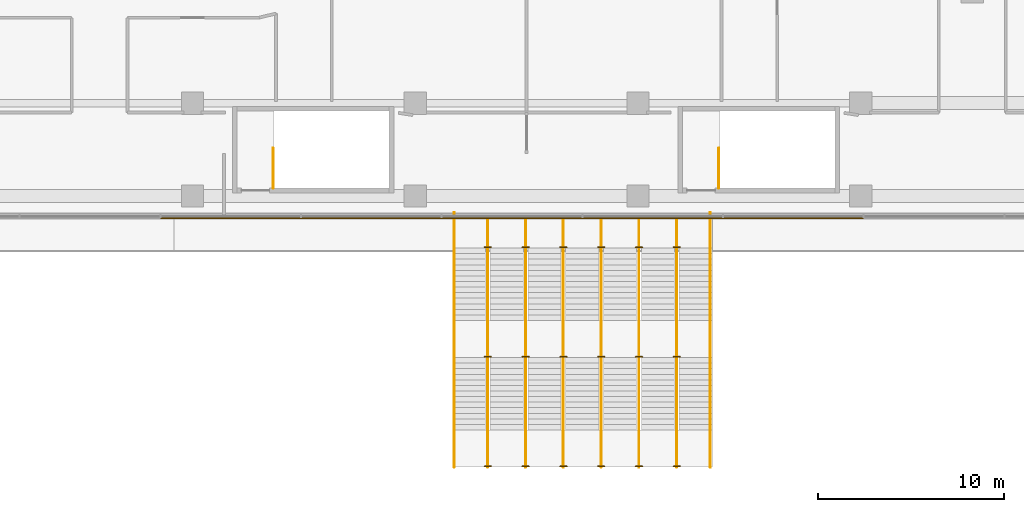
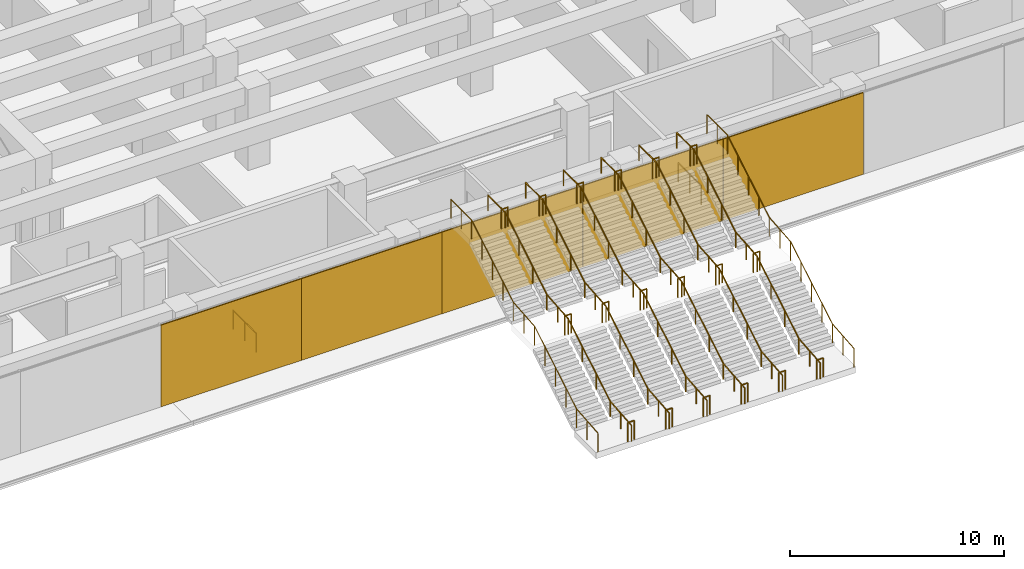
# One storey, part 36 of 40: 28 railings, 5 coverings.
"""IFC4 building model written with IfcOpenShell, lengths in metres."""

from ifc_helpers import new_model, si_unit, direction, frame, origin, origin_2d, place, context, subcontext, project, spatial, rectangle, circle, extrude, material, layer, layer_set, type_object, element, save


model = new_model("IFC4")

# Units and contexts
model_context = context("Model", 3, precision=1e-05, world=origin(), true_north=direction((0.0, 1.0)))
body_context = subcontext(model_context, "Body", "Model", "MODEL_VIEW")
ifc_project = project(units=[si_unit("LENGTHUNIT", "METRE"), si_unit("AREAUNIT", "SQUARE_METRE"), si_unit("VOLUMEUNIT", "CUBIC_METRE"), si_unit("PLANEANGLEUNIT", "RADIAN"), si_unit("MASSUNIT", "GRAM", prefix="KILO")], contexts=[model_context])

# Site, building, storey
site_placement = place(None, origin())
site = spatial("IfcSite", under=ifc_project, at=site_placement, CompositionType="ELEMENT")
building_placement = place(site_placement, origin())
building = spatial("IfcBuilding", under=site, at=building_placement, Name="Welwitschia Terrace Campus", CompositionType="ELEMENT")
storey_placement = place(building_placement, frame((0.0, 0.0, 6.0)))
storey = spatial("IfcBuildingStorey", under=building, at=storey_placement, Name="L01", CompositionType="ELEMENT", Elevation=6.0)

# Coverings
ifc_material_1 = material(Name="Bronze mesh aluminium screen", Category="aluminium")
ifc_layer = layer(ifc_material_1, 0.06005859375)
ifc_layer_set = layer_set([ifc_layer], Name="Bronze mesh aluminium screen")
covering_type = type_object("IfcCoveringType", Name="Bronze screen 60", PredefinedType="USERDEFINED", material=ifc_layer_set)
for number, where, z_axis, x_axis, name in (
    (1, (26.062744140625, -10.18994140625, 0.0), (0.0, 0.0, 1.0), (1.0, 0.0, 0.0), "Screen L01.0.3"),
    (2, (33.6376953125, -10.18994140625, 0.0), (0.0, 0.0, 1.0), (1.0, 0.0, 0.0), "Screen L01.0.4"),
    (3, (41.21240234375, -10.18994140625, 0.0), (0.0, 0.0, 1.0), (1.0, 0.0, 0.0), "Screen L01.0.5"),
    (4, (48.78759765625, -10.18994140625, 0.0), (0.0, 0.0, 1.0), (1.0, 0.0, 0.0), "Screen L01.0.6"),
    (5, (56.3623046875, -10.18994140625, 0.0), (0.0, 0.0, 1.0), (1.0, 0.0, 0.0), "Screen L01.0.7"),
):
    element("IfcCovering", number, at=place(storey_placement, frame(where, z_axis=z_axis, x_axis=x_axis)), inside=storey, type_object=covering_type, Name=name, ObjectType="SCREEN", PredefinedType="USERDEFINED", context=body_context, shape_type="SweptSolid", body=[
        extrude(rectangle(XDim=7.554931640625, YDim=0.06005859375, at=origin_2d()), origin(), (0.0, 0.0, 1.0), 4.64990234375),
    ])

# Railings
ifc_material_2 = material(Name="Stainless steel grade 316", Category="steel")
railing_type_1 = type_object("IfcRailingType", Name="Guard 1100", PredefinedType="GUARDRAIL", material=ifc_material_2)
railing_1_placement = place(storey_placement, frame((38.10009765625, -23.60009765625, 0.0)))
element("IfcRailing", 6, at=railing_1_placement, inside=storey, type_object=railing_type_1, Name="Stair guard", PredefinedType="GUARDRAIL", context=body_context, shape_type="SweptSolid", body=[
    extrude(circle(Radius=0.02392578125, at=origin_2d()), frame((0.0, 0.0, 1.076171875), z_axis=(0.0, 0.996042319748, 0.088880241179), x_axis=(-1.0, 0.0, 0.0)), (0.0, 0.0, 1.0), 2.008056640625),
    extrude(circle(Radius=0.02392578125, at=origin_2d()), frame((0.0, 2.0, 1.25439453125), z_axis=(0.0, 0.859291195736, 0.511486696729), x_axis=(-1.0, 0.0, 0.0)), (0.0, 0.0, 1.0), 4.538818359375),
    extrude(circle(Radius=0.02392578125, at=origin_2d()), frame((0.0, 5.900146484375, 3.576171875), z_axis=(0.0, 0.996042319748, 0.088880241179), x_axis=(-1.0, 0.0, 0.0)), (0.0, 0.0, 1.0), 2.008056640625),
    extrude(circle(Radius=0.02392578125, at=origin_2d()), frame((0.0, 7.900146484375, 3.75439453125), z_axis=(0.0, 0.85927712236, 0.511510339083), x_axis=(-1.0, 0.0, 0.0)), (0.0, 0.0, 1.0), 4.53857421875),
    extrude(circle(Radius=0.02392578125, at=origin_2d()), frame((0.0, 11.800048828125, 6.076171875), z_axis=(0.0, 1.0, 0.0), x_axis=(-1.0, 0.0, 0.0)), (0.0, 0.0, 1.0), 1.920166015625),
    extrude(circle(Radius=0.02099609375, at=origin_2d()), origin(), (0.0, 0.0, 1.0), 1.052001953125),
    extrude(circle(Radius=0.02099609375, at=origin_2d()), frame((0.0, 1.0, 0.08935546875)), (0.0, 0.0, 1.0), 1.052001953125),
    extrude(circle(Radius=0.02099609375, at=origin_2d()), frame((0.0, 2.0, 0.178466796875)), (0.0, 0.0, 1.0), 1.052001953125),
    extrude(circle(Radius=0.02099609375, at=origin_2d()), frame((0.0, 2.97509765625, 0.7587890625)), (0.0, 0.0, 1.0), 1.052001953125),
    extrude(circle(Radius=0.02099609375, at=origin_2d()), frame((0.0, 3.9501953125, 1.33935546875)), (0.0, 0.0, 1.0), 1.052001953125),
    extrude(circle(Radius=0.02099609375, at=origin_2d()), frame((0.0, 4.925048828125, 1.919677734375)), (0.0, 0.0, 1.0), 1.052001953125),
    extrude(circle(Radius=0.02099609375, at=origin_2d()), frame((0.0, 5.900146484375, 2.5)), (0.0, 0.0, 1.0), 1.052001953125),
    extrude(circle(Radius=0.02099609375, at=origin_2d()), frame((0.0, 6.900146484375, 2.58935546875)), (0.0, 0.0, 1.0), 1.052001953125),
    extrude(circle(Radius=0.02099609375, at=origin_2d()), frame((0.0, 7.900146484375, 2.678466796875)), (0.0, 0.0, 1.0), 1.052001953125),
    extrude(circle(Radius=0.02099609375, at=origin_2d()), frame((0.0, 8.875, 3.2587890625)), (0.0, 0.0, 1.0), 1.052001953125),
    extrude(circle(Radius=0.02099609375, at=origin_2d()), frame((0.0, 9.85009765625, 3.83935546875)), (0.0, 0.0, 1.0), 1.052001953125),
    extrude(circle(Radius=0.02099609375, at=origin_2d()), frame((0.0, 10.8251953125, 4.419677734375)), (0.0, 0.0, 1.0), 1.052001953125),
    extrude(circle(Radius=0.02099609375, at=origin_2d()), frame((0.0, 11.800048828125, 5.0)), (0.0, 0.0, 1.0), 1.052001953125),
    extrude(circle(Radius=0.02099609375, at=origin_2d()), frame((0.0, 12.76025390625, 5.0)), (0.0, 0.0, 1.0), 1.052001953125),
    extrude(circle(Radius=0.02099609375, at=origin_2d()), frame((0.0, 13.72021484375, 5.0)), (0.0, 0.0, 1.0), 1.052001953125),
])
railing_2_placement = place(storey_placement, frame((51.89990234375, -23.60009765625, 0.0)))
element("IfcRailing", 7, at=railing_2_placement, inside=storey, type_object=railing_type_1, Name="Stair guard", PredefinedType="GUARDRAIL", context=body_context, shape_type="SweptSolid", body=[
    extrude(circle(Radius=0.02392578125, at=origin_2d()), frame((0.0, 0.0, 1.076171875), z_axis=(0.0, 0.996042319748, 0.088880241179), x_axis=(-1.0, 0.0, 0.0)), (0.0, 0.0, 1.0), 2.008056640625),
    extrude(circle(Radius=0.02392578125, at=origin_2d()), frame((0.0, 2.0, 1.25439453125), z_axis=(0.0, 0.859291195736, 0.511486696729), x_axis=(-1.0, 0.0, 0.0)), (0.0, 0.0, 1.0), 4.538818359375),
    extrude(circle(Radius=0.02392578125, at=origin_2d()), frame((0.0, 5.900146484375, 3.576171875), z_axis=(0.0, 0.996042319748, 0.088880241179), x_axis=(-1.0, 0.0, 0.0)), (0.0, 0.0, 1.0), 2.008056640625),
    extrude(circle(Radius=0.02392578125, at=origin_2d()), frame((0.0, 7.900146484375, 3.75439453125), z_axis=(0.0, 0.85927712236, 0.511510339083), x_axis=(-1.0, 0.0, 0.0)), (0.0, 0.0, 1.0), 4.53857421875),
    extrude(circle(Radius=0.02392578125, at=origin_2d()), frame((0.0, 11.800048828125, 6.076171875), z_axis=(0.0, 1.0, 0.0), x_axis=(-1.0, 0.0, 0.0)), (0.0, 0.0, 1.0), 1.920166015625),
    extrude(circle(Radius=0.02099609375, at=origin_2d()), origin(), (0.0, 0.0, 1.0), 1.052001953125),
    extrude(circle(Radius=0.02099609375, at=origin_2d()), frame((0.0, 1.0, 0.08935546875)), (0.0, 0.0, 1.0), 1.052001953125),
    extrude(circle(Radius=0.02099609375, at=origin_2d()), frame((0.0, 2.0, 0.178466796875)), (0.0, 0.0, 1.0), 1.052001953125),
    extrude(circle(Radius=0.02099609375, at=origin_2d()), frame((0.0, 2.97509765625, 0.7587890625)), (0.0, 0.0, 1.0), 1.052001953125),
    extrude(circle(Radius=0.02099609375, at=origin_2d()), frame((0.0, 3.9501953125, 1.33935546875)), (0.0, 0.0, 1.0), 1.052001953125),
    extrude(circle(Radius=0.02099609375, at=origin_2d()), frame((0.0, 4.925048828125, 1.919677734375)), (0.0, 0.0, 1.0), 1.052001953125),
    extrude(circle(Radius=0.02099609375, at=origin_2d()), frame((0.0, 5.900146484375, 2.5)), (0.0, 0.0, 1.0), 1.052001953125),
    extrude(circle(Radius=0.02099609375, at=origin_2d()), frame((0.0, 6.900146484375, 2.58935546875)), (0.0, 0.0, 1.0), 1.052001953125),
    extrude(circle(Radius=0.02099609375, at=origin_2d()), frame((0.0, 7.900146484375, 2.678466796875)), (0.0, 0.0, 1.0), 1.052001953125),
    extrude(circle(Radius=0.02099609375, at=origin_2d()), frame((0.0, 8.875, 3.2587890625)), (0.0, 0.0, 1.0), 1.052001953125),
    extrude(circle(Radius=0.02099609375, at=origin_2d()), frame((0.0, 9.85009765625, 3.83935546875)), (0.0, 0.0, 1.0), 1.052001953125),
    extrude(circle(Radius=0.02099609375, at=origin_2d()), frame((0.0, 10.8251953125, 4.419677734375)), (0.0, 0.0, 1.0), 1.052001953125),
    extrude(circle(Radius=0.02099609375, at=origin_2d()), frame((0.0, 11.800048828125, 5.0)), (0.0, 0.0, 1.0), 1.052001953125),
    extrude(circle(Radius=0.02099609375, at=origin_2d()), frame((0.0, 12.76025390625, 5.0)), (0.0, 0.0, 1.0), 1.052001953125),
    extrude(circle(Radius=0.02099609375, at=origin_2d()), frame((0.0, 13.72021484375, 5.0)), (0.0, 0.0, 1.0), 1.052001953125),
])
railing_3_placement = place(storey_placement, frame((39.735595703125, -23.56005859375, 0.0)))
element("IfcRailing", 8, at=railing_3_placement, inside=storey, type_object=railing_type_1, Name="Stair guard", PredefinedType="GUARDRAIL", context=body_context, shape_type="SweptSolid", body=[
    extrude(circle(Radius=0.02392578125, at=origin_2d()), frame((0.0, 0.0, 1.076171875), z_axis=(1.0, 0.0, 0.0), x_axis=(0.0, 1.0, 0.0)), (0.0, 0.0, 1.0), 0.35009765625),
    extrude(circle(Radius=0.02099609375, at=origin_2d()), origin(), (0.0, 0.0, 1.0), 1.052001953125),
    extrude(circle(Radius=0.02099609375, at=origin_2d()), frame((0.35009765625, 0.0, 0.0)), (0.0, 0.0, 1.0), 1.052001953125),
])
for number, where, name in (
    (9, (41.771484375, -23.56005859375, 0.0), "Stair guard"),
    (10, (43.80712890625, -23.56005859375, 0.0), "Stair guard"),
    (11, (45.843017578125, -23.56005859375, 0.0), "Stair guard"),
    (12, (47.878662109375, -23.56005859375, 0.0), "Stair guard"),
):
    element("IfcRailing", number, at=place(storey_placement, frame(where)), inside=storey, type_object=railing_type_1, Name=name, PredefinedType="GUARDRAIL", context=body_context, shape_type="SweptSolid", body=[
        extrude(circle(Radius=0.02392578125, at=origin_2d()), frame((0.0, 0.0, 1.076171875), z_axis=(1.0, 0.0, 0.0), x_axis=(0.0, 1.0, 0.0)), (0.0, 0.0, 1.0), 0.349853515625),
        extrude(circle(Radius=0.02099609375, at=origin_2d()), origin(), (0.0, 0.0, 1.0), 1.052001953125),
        extrude(circle(Radius=0.02099609375, at=origin_2d()), frame((0.349853515625, 0.0, 0.0)), (0.0, 0.0, 1.0), 1.052001953125),
    ])
for number, where, name in (
    (13, (49.914306640625, -23.56005859375, 0.0), "Stair guard"),
    (14, (39.735595703125, -17.659912109375, 2.5), "Stair guard"),
):
    element("IfcRailing", number, at=place(storey_placement, frame(where)), inside=storey, type_object=railing_type_1, Name=name, PredefinedType="GUARDRAIL", context=body_context, shape_type="SweptSolid", body=[
        extrude(circle(Radius=0.02392578125, at=origin_2d()), frame((0.0, 0.0, 1.076171875), z_axis=(1.0, 0.0, 0.0), x_axis=(0.0, 1.0, 0.0)), (0.0, 0.0, 1.0), 0.35009765625),
        extrude(circle(Radius=0.02099609375, at=origin_2d()), origin(), (0.0, 0.0, 1.0), 1.052001953125),
        extrude(circle(Radius=0.02099609375, at=origin_2d()), frame((0.35009765625, 0.0, 0.0)), (0.0, 0.0, 1.0), 1.052001953125),
    ])
for number, where, name in (
    (15, (41.771484375, -17.659912109375, 2.5), "Stair guard"),
    (16, (43.80712890625, -17.659912109375, 2.5), "Stair guard"),
    (17, (45.843017578125, -17.659912109375, 2.5), "Stair guard"),
    (18, (47.878662109375, -17.659912109375, 2.5), "Stair guard"),
):
    element("IfcRailing", number, at=place(storey_placement, frame(where)), inside=storey, type_object=railing_type_1, Name=name, PredefinedType="GUARDRAIL", context=body_context, shape_type="SweptSolid", body=[
        extrude(circle(Radius=0.02392578125, at=origin_2d()), frame((0.0, 0.0, 1.076171875), z_axis=(1.0, 0.0, 0.0), x_axis=(0.0, 1.0, 0.0)), (0.0, 0.0, 1.0), 0.349853515625),
        extrude(circle(Radius=0.02099609375, at=origin_2d()), origin(), (0.0, 0.0, 1.0), 1.052001953125),
        extrude(circle(Radius=0.02099609375, at=origin_2d()), frame((0.349853515625, 0.0, 0.0)), (0.0, 0.0, 1.0), 1.052001953125),
    ])
for number, where, name in (
    (19, (49.914306640625, -17.659912109375, 2.5), "Stair guard"),
    (20, (39.735595703125, -11.760009765625, 5.0), "Stair guard"),
):
    element("IfcRailing", number, at=place(storey_placement, frame(where)), inside=storey, type_object=railing_type_1, Name=name, PredefinedType="GUARDRAIL", context=body_context, shape_type="SweptSolid", body=[
        extrude(circle(Radius=0.02392578125, at=origin_2d()), frame((0.0, 0.0, 1.076171875), z_axis=(1.0, 0.0, 0.0), x_axis=(0.0, 1.0, 0.0)), (0.0, 0.0, 1.0), 0.35009765625),
        extrude(circle(Radius=0.02099609375, at=origin_2d()), origin(), (0.0, 0.0, 1.0), 1.052001953125),
        extrude(circle(Radius=0.02099609375, at=origin_2d()), frame((0.35009765625, 0.0, 0.0)), (0.0, 0.0, 1.0), 1.052001953125),
    ])
for number, where, name in (
    (21, (41.771484375, -11.760009765625, 5.0), "Stair guard"),
    (22, (43.80712890625, -11.760009765625, 5.0), "Stair guard"),
    (23, (45.843017578125, -11.760009765625, 5.0), "Stair guard"),
    (24, (47.878662109375, -11.760009765625, 5.0), "Stair guard"),
):
    element("IfcRailing", number, at=place(storey_placement, frame(where)), inside=storey, type_object=railing_type_1, Name=name, PredefinedType="GUARDRAIL", context=body_context, shape_type="SweptSolid", body=[
        extrude(circle(Radius=0.02392578125, at=origin_2d()), frame((0.0, 0.0, 1.076171875), z_axis=(1.0, 0.0, 0.0), x_axis=(0.0, 1.0, 0.0)), (0.0, 0.0, 1.0), 0.349853515625),
        extrude(circle(Radius=0.02099609375, at=origin_2d()), origin(), (0.0, 0.0, 1.0), 1.052001953125),
        extrude(circle(Radius=0.02099609375, at=origin_2d()), frame((0.349853515625, 0.0, 0.0)), (0.0, 0.0, 1.0), 1.052001953125),
    ])
railing_4_placement = place(storey_placement, frame((49.914306640625, -11.760009765625, 5.0)))
element("IfcRailing", 25, at=railing_4_placement, inside=storey, type_object=railing_type_1, Name="Stair guard", PredefinedType="GUARDRAIL", context=body_context, shape_type="SweptSolid", body=[
    extrude(circle(Radius=0.02392578125, at=origin_2d()), frame((0.0, 0.0, 1.076171875), z_axis=(1.0, 0.0, 0.0), x_axis=(0.0, 1.0, 0.0)), (0.0, 0.0, 1.0), 0.35009765625),
    extrude(circle(Radius=0.02099609375, at=origin_2d()), origin(), (0.0, 0.0, 1.0), 1.052001953125),
    extrude(circle(Radius=0.02099609375, at=origin_2d()), frame((0.35009765625, 0.0, 0.0)), (0.0, 0.0, 1.0), 1.052001953125),
])
ifc_material_3 = material(Name="Stainless steel grade 316", Category="steel")
railing_type_2 = type_object("IfcRailingType", Name="Handrail 900", PredefinedType="HANDRAIL", material=ifc_material_3)
railing_5_placement = place(storey_placement, frame((39.91064453125, -23.60009765625, 0.0)))
element("IfcRailing", 26, at=railing_5_placement, inside=storey, type_object=railing_type_2, Name="Stair handrail", PredefinedType="HANDRAIL", context=body_context, shape_type="SweptSolid", body=[
    extrude(circle(Radius=0.02392578125, at=origin_2d()), frame((0.0, 0.0, 0.8759765625), z_axis=(0.0, 0.996042319748, 0.088880241179), x_axis=(-1.0, 0.0, 0.0)), (0.0, 0.0, 1.0), 2.008056640625),
    extrude(circle(Radius=0.02392578125, at=origin_2d()), frame((0.0, 2.0, 1.05419921875), z_axis=(0.0, 0.859291195736, 0.511486696729), x_axis=(-1.0, 0.0, 0.0)), (0.0, 0.0, 1.0), 4.538818359375),
    extrude(circle(Radius=0.02392578125, at=origin_2d()), frame((0.0, 5.900146484375, 3.3759765625), z_axis=(0.0, 0.996042319748, 0.088880241179), x_axis=(-1.0, 0.0, 0.0)), (0.0, 0.0, 1.0), 2.008056640625),
    extrude(circle(Radius=0.02392578125, at=origin_2d()), frame((0.0, 7.900146484375, 3.55419921875), z_axis=(0.0, 0.85927712236, 0.511510339083), x_axis=(-1.0, 0.0, 0.0)), (0.0, 0.0, 1.0), 4.53857421875),
    extrude(circle(Radius=0.02392578125, at=origin_2d()), frame((0.0, 11.800048828125, 5.8759765625), z_axis=(0.0, 1.0, 0.0), x_axis=(-1.0, 0.0, 0.0)), (0.0, 0.0, 1.0), 1.60009765625),
    extrude(circle(Radius=0.02099609375, at=origin_2d()), origin(), (0.0, 0.0, 1.0), 0.851806640625),
    extrude(circle(Radius=0.02099609375, at=origin_2d()), frame((0.0, 1.0, 0.08935546875)), (0.0, 0.0, 1.0), 0.851806640625),
    extrude(circle(Radius=0.02099609375, at=origin_2d()), frame((0.0, 2.0, 0.178466796875)), (0.0, 0.0, 1.0), 0.851806640625),
    extrude(circle(Radius=0.02099609375, at=origin_2d()), frame((0.0, 3.300048828125, 0.952392578125)), (0.0, 0.0, 1.0), 0.851806640625),
    extrude(circle(Radius=0.02099609375, at=origin_2d()), frame((0.0, 4.60009765625, 1.72607421875)), (0.0, 0.0, 1.0), 0.851806640625),
    extrude(circle(Radius=0.02099609375, at=origin_2d()), frame((0.0, 5.900146484375, 2.5)), (0.0, 0.0, 1.0), 0.851806640625),
    extrude(circle(Radius=0.02099609375, at=origin_2d()), frame((0.0, 6.900146484375, 2.58935546875)), (0.0, 0.0, 1.0), 0.851806640625),
    extrude(circle(Radius=0.02099609375, at=origin_2d()), frame((0.0, 7.900146484375, 2.678466796875)), (0.0, 0.0, 1.0), 0.851806640625),
    extrude(circle(Radius=0.02099609375, at=origin_2d()), frame((0.0, 9.2001953125, 3.452392578125)), (0.0, 0.0, 1.0), 0.851806640625),
    extrude(circle(Radius=0.02099609375, at=origin_2d()), frame((0.0, 10.5, 4.22607421875)), (0.0, 0.0, 1.0), 0.851806640625),
    extrude(circle(Radius=0.02099609375, at=origin_2d()), frame((0.0, 11.800048828125, 5.0)), (0.0, 0.0, 1.0), 0.851806640625),
    extrude(circle(Radius=0.02099609375, at=origin_2d()), frame((0.0, 13.400146484375, 5.0)), (0.0, 0.0, 1.0), 0.851806640625),
])
railing_6_placement = place(storey_placement, frame((41.9462890625, -23.60009765625, 0.0)))
element("IfcRailing", 27, at=railing_6_placement, inside=storey, type_object=railing_type_2, Name="Stair handrail", PredefinedType="HANDRAIL", context=body_context, shape_type="SweptSolid", body=[
    extrude(circle(Radius=0.02392578125, at=origin_2d()), frame((0.0, 0.0, 0.8759765625), z_axis=(0.0, 0.996042319748, 0.088880241179), x_axis=(-1.0, 0.0, 0.0)), (0.0, 0.0, 1.0), 2.008056640625),
    extrude(circle(Radius=0.02392578125, at=origin_2d()), frame((0.0, 2.0, 1.05419921875), z_axis=(0.0, 0.859291195736, 0.511486696729), x_axis=(-1.0, 0.0, 0.0)), (0.0, 0.0, 1.0), 4.538818359375),
    extrude(circle(Radius=0.02392578125, at=origin_2d()), frame((0.0, 5.900146484375, 3.3759765625), z_axis=(0.0, 0.996042319748, 0.088880241179), x_axis=(-1.0, 0.0, 0.0)), (0.0, 0.0, 1.0), 2.008056640625),
    extrude(circle(Radius=0.02392578125, at=origin_2d()), frame((0.0, 7.900146484375, 3.55419921875), z_axis=(0.0, 0.85927712236, 0.511510339083), x_axis=(-1.0, 0.0, 0.0)), (0.0, 0.0, 1.0), 4.53857421875),
    extrude(circle(Radius=0.02392578125, at=origin_2d()), frame((0.0, 11.800048828125, 5.8759765625), z_axis=(0.0, 1.0, 0.0), x_axis=(-1.0, 0.0, 0.0)), (0.0, 0.0, 1.0), 1.60009765625),
    extrude(circle(Radius=0.02099609375, at=origin_2d()), origin(), (0.0, 0.0, 1.0), 0.851806640625),
    extrude(circle(Radius=0.02099609375, at=origin_2d()), frame((0.0, 1.0, 0.08935546875)), (0.0, 0.0, 1.0), 0.851806640625),
    extrude(circle(Radius=0.02099609375, at=origin_2d()), frame((0.0, 2.0, 0.178466796875)), (0.0, 0.0, 1.0), 0.851806640625),
    extrude(circle(Radius=0.02099609375, at=origin_2d()), frame((0.0, 3.300048828125, 0.952392578125)), (0.0, 0.0, 1.0), 0.851806640625),
    extrude(circle(Radius=0.02099609375, at=origin_2d()), frame((0.0, 4.60009765625, 1.72607421875)), (0.0, 0.0, 1.0), 0.851806640625),
    extrude(circle(Radius=0.02099609375, at=origin_2d()), frame((0.0, 5.900146484375, 2.5)), (0.0, 0.0, 1.0), 0.851806640625),
    extrude(circle(Radius=0.02099609375, at=origin_2d()), frame((0.0, 6.900146484375, 2.58935546875)), (0.0, 0.0, 1.0), 0.851806640625),
    extrude(circle(Radius=0.02099609375, at=origin_2d()), frame((0.0, 7.900146484375, 2.678466796875)), (0.0, 0.0, 1.0), 0.851806640625),
    extrude(circle(Radius=0.02099609375, at=origin_2d()), frame((0.0, 9.2001953125, 3.452392578125)), (0.0, 0.0, 1.0), 0.851806640625),
    extrude(circle(Radius=0.02099609375, at=origin_2d()), frame((0.0, 10.5, 4.22607421875)), (0.0, 0.0, 1.0), 0.851806640625),
    extrude(circle(Radius=0.02099609375, at=origin_2d()), frame((0.0, 11.800048828125, 5.0)), (0.0, 0.0, 1.0), 0.851806640625),
    extrude(circle(Radius=0.02099609375, at=origin_2d()), frame((0.0, 13.400146484375, 5.0)), (0.0, 0.0, 1.0), 0.851806640625),
])
railing_7_placement = place(storey_placement, frame((43.982177734375, -23.60009765625, 0.0)))
element("IfcRailing", 28, at=railing_7_placement, inside=storey, type_object=railing_type_2, Name="Stair handrail", PredefinedType="HANDRAIL", context=body_context, shape_type="SweptSolid", body=[
    extrude(circle(Radius=0.02392578125, at=origin_2d()), frame((0.0, 0.0, 0.8759765625), z_axis=(0.0, 0.996042319748, 0.088880241179), x_axis=(-1.0, 0.0, 0.0)), (0.0, 0.0, 1.0), 2.008056640625),
    extrude(circle(Radius=0.02392578125, at=origin_2d()), frame((0.0, 2.0, 1.05419921875), z_axis=(0.0, 0.859291195736, 0.511486696729), x_axis=(-1.0, 0.0, 0.0)), (0.0, 0.0, 1.0), 4.538818359375),
    extrude(circle(Radius=0.02392578125, at=origin_2d()), frame((0.0, 5.900146484375, 3.3759765625), z_axis=(0.0, 0.996042319748, 0.088880241179), x_axis=(-1.0, 0.0, 0.0)), (0.0, 0.0, 1.0), 2.008056640625),
    extrude(circle(Radius=0.02392578125, at=origin_2d()), frame((0.0, 7.900146484375, 3.55419921875), z_axis=(0.0, 0.85927712236, 0.511510339083), x_axis=(-1.0, 0.0, 0.0)), (0.0, 0.0, 1.0), 4.53857421875),
    extrude(circle(Radius=0.02392578125, at=origin_2d()), frame((0.0, 11.800048828125, 5.8759765625), z_axis=(0.0, 1.0, 0.0), x_axis=(-1.0, 0.0, 0.0)), (0.0, 0.0, 1.0), 1.60009765625),
    extrude(circle(Radius=0.02099609375, at=origin_2d()), origin(), (0.0, 0.0, 1.0), 0.851806640625),
    extrude(circle(Radius=0.02099609375, at=origin_2d()), frame((0.0, 1.0, 0.08935546875)), (0.0, 0.0, 1.0), 0.851806640625),
    extrude(circle(Radius=0.02099609375, at=origin_2d()), frame((0.0, 2.0, 0.178466796875)), (0.0, 0.0, 1.0), 0.851806640625),
    extrude(circle(Radius=0.02099609375, at=origin_2d()), frame((0.0, 3.300048828125, 0.952392578125)), (0.0, 0.0, 1.0), 0.851806640625),
    extrude(circle(Radius=0.02099609375, at=origin_2d()), frame((0.0, 4.60009765625, 1.72607421875)), (0.0, 0.0, 1.0), 0.851806640625),
    extrude(circle(Radius=0.02099609375, at=origin_2d()), frame((0.0, 5.900146484375, 2.5)), (0.0, 0.0, 1.0), 0.851806640625),
    extrude(circle(Radius=0.02099609375, at=origin_2d()), frame((0.0, 6.900146484375, 2.58935546875)), (0.0, 0.0, 1.0), 0.851806640625),
    extrude(circle(Radius=0.02099609375, at=origin_2d()), frame((0.0, 7.900146484375, 2.678466796875)), (0.0, 0.0, 1.0), 0.851806640625),
    extrude(circle(Radius=0.02099609375, at=origin_2d()), frame((0.0, 9.2001953125, 3.452392578125)), (0.0, 0.0, 1.0), 0.851806640625),
    extrude(circle(Radius=0.02099609375, at=origin_2d()), frame((0.0, 10.5, 4.22607421875)), (0.0, 0.0, 1.0), 0.851806640625),
    extrude(circle(Radius=0.02099609375, at=origin_2d()), frame((0.0, 11.800048828125, 5.0)), (0.0, 0.0, 1.0), 0.851806640625),
    extrude(circle(Radius=0.02099609375, at=origin_2d()), frame((0.0, 13.400146484375, 5.0)), (0.0, 0.0, 1.0), 0.851806640625),
])
railing_8_placement = place(storey_placement, frame((46.017822265625, -23.60009765625, 0.0)))
element("IfcRailing", 29, at=railing_8_placement, inside=storey, type_object=railing_type_2, Name="Stair handrail", PredefinedType="HANDRAIL", context=body_context, shape_type="SweptSolid", body=[
    extrude(circle(Radius=0.02392578125, at=origin_2d()), frame((0.0, 0.0, 0.8759765625), z_axis=(0.0, 0.996042319748, 0.088880241179), x_axis=(-1.0, 0.0, 0.0)), (0.0, 0.0, 1.0), 2.008056640625),
    extrude(circle(Radius=0.02392578125, at=origin_2d()), frame((0.0, 2.0, 1.05419921875), z_axis=(0.0, 0.859291195736, 0.511486696729), x_axis=(-1.0, 0.0, 0.0)), (0.0, 0.0, 1.0), 4.538818359375),
    extrude(circle(Radius=0.02392578125, at=origin_2d()), frame((0.0, 5.900146484375, 3.3759765625), z_axis=(0.0, 0.996042319748, 0.088880241179), x_axis=(-1.0, 0.0, 0.0)), (0.0, 0.0, 1.0), 2.008056640625),
    extrude(circle(Radius=0.02392578125, at=origin_2d()), frame((0.0, 7.900146484375, 3.55419921875), z_axis=(0.0, 0.85927712236, 0.511510339083), x_axis=(-1.0, 0.0, 0.0)), (0.0, 0.0, 1.0), 4.53857421875),
    extrude(circle(Radius=0.02392578125, at=origin_2d()), frame((0.0, 11.800048828125, 5.8759765625), z_axis=(0.0, 1.0, 0.0), x_axis=(-1.0, 0.0, 0.0)), (0.0, 0.0, 1.0), 1.60009765625),
    extrude(circle(Radius=0.02099609375, at=origin_2d()), origin(), (0.0, 0.0, 1.0), 0.851806640625),
    extrude(circle(Radius=0.02099609375, at=origin_2d()), frame((0.0, 1.0, 0.08935546875)), (0.0, 0.0, 1.0), 0.851806640625),
    extrude(circle(Radius=0.02099609375, at=origin_2d()), frame((0.0, 2.0, 0.178466796875)), (0.0, 0.0, 1.0), 0.851806640625),
    extrude(circle(Radius=0.02099609375, at=origin_2d()), frame((0.0, 3.300048828125, 0.952392578125)), (0.0, 0.0, 1.0), 0.851806640625),
    extrude(circle(Radius=0.02099609375, at=origin_2d()), frame((0.0, 4.60009765625, 1.72607421875)), (0.0, 0.0, 1.0), 0.851806640625),
    extrude(circle(Radius=0.02099609375, at=origin_2d()), frame((0.0, 5.900146484375, 2.5)), (0.0, 0.0, 1.0), 0.851806640625),
    extrude(circle(Radius=0.02099609375, at=origin_2d()), frame((0.0, 6.900146484375, 2.58935546875)), (0.0, 0.0, 1.0), 0.851806640625),
    extrude(circle(Radius=0.02099609375, at=origin_2d()), frame((0.0, 7.900146484375, 2.678466796875)), (0.0, 0.0, 1.0), 0.851806640625),
    extrude(circle(Radius=0.02099609375, at=origin_2d()), frame((0.0, 9.2001953125, 3.452392578125)), (0.0, 0.0, 1.0), 0.851806640625),
    extrude(circle(Radius=0.02099609375, at=origin_2d()), frame((0.0, 10.5, 4.22607421875)), (0.0, 0.0, 1.0), 0.851806640625),
    extrude(circle(Radius=0.02099609375, at=origin_2d()), frame((0.0, 11.800048828125, 5.0)), (0.0, 0.0, 1.0), 0.851806640625),
    extrude(circle(Radius=0.02099609375, at=origin_2d()), frame((0.0, 13.400146484375, 5.0)), (0.0, 0.0, 1.0), 0.851806640625),
])
railing_9_placement = place(storey_placement, frame((48.0537109375, -23.60009765625, 0.0)))
element("IfcRailing", 30, at=railing_9_placement, inside=storey, type_object=railing_type_2, Name="Stair handrail", PredefinedType="HANDRAIL", context=body_context, shape_type="SweptSolid", body=[
    extrude(circle(Radius=0.02392578125, at=origin_2d()), frame((0.0, 0.0, 0.8759765625), z_axis=(0.0, 0.996042319748, 0.088880241179), x_axis=(-1.0, 0.0, 0.0)), (0.0, 0.0, 1.0), 2.008056640625),
    extrude(circle(Radius=0.02392578125, at=origin_2d()), frame((0.0, 2.0, 1.05419921875), z_axis=(0.0, 0.859291195736, 0.511486696729), x_axis=(-1.0, 0.0, 0.0)), (0.0, 0.0, 1.0), 4.538818359375),
    extrude(circle(Radius=0.02392578125, at=origin_2d()), frame((0.0, 5.900146484375, 3.3759765625), z_axis=(0.0, 0.996042319748, 0.088880241179), x_axis=(-1.0, 0.0, 0.0)), (0.0, 0.0, 1.0), 2.008056640625),
    extrude(circle(Radius=0.02392578125, at=origin_2d()), frame((0.0, 7.900146484375, 3.55419921875), z_axis=(0.0, 0.85927712236, 0.511510339083), x_axis=(-1.0, 0.0, 0.0)), (0.0, 0.0, 1.0), 4.53857421875),
    extrude(circle(Radius=0.02392578125, at=origin_2d()), frame((0.0, 11.800048828125, 5.8759765625), z_axis=(0.0, 1.0, 0.0), x_axis=(-1.0, 0.0, 0.0)), (0.0, 0.0, 1.0), 1.60009765625),
    extrude(circle(Radius=0.02099609375, at=origin_2d()), origin(), (0.0, 0.0, 1.0), 0.851806640625),
    extrude(circle(Radius=0.02099609375, at=origin_2d()), frame((0.0, 1.0, 0.08935546875)), (0.0, 0.0, 1.0), 0.851806640625),
    extrude(circle(Radius=0.02099609375, at=origin_2d()), frame((0.0, 2.0, 0.178466796875)), (0.0, 0.0, 1.0), 0.851806640625),
    extrude(circle(Radius=0.02099609375, at=origin_2d()), frame((0.0, 3.300048828125, 0.952392578125)), (0.0, 0.0, 1.0), 0.851806640625),
    extrude(circle(Radius=0.02099609375, at=origin_2d()), frame((0.0, 4.60009765625, 1.72607421875)), (0.0, 0.0, 1.0), 0.851806640625),
    extrude(circle(Radius=0.02099609375, at=origin_2d()), frame((0.0, 5.900146484375, 2.5)), (0.0, 0.0, 1.0), 0.851806640625),
    extrude(circle(Radius=0.02099609375, at=origin_2d()), frame((0.0, 6.900146484375, 2.58935546875)), (0.0, 0.0, 1.0), 0.851806640625),
    extrude(circle(Radius=0.02099609375, at=origin_2d()), frame((0.0, 7.900146484375, 2.678466796875)), (0.0, 0.0, 1.0), 0.851806640625),
    extrude(circle(Radius=0.02099609375, at=origin_2d()), frame((0.0, 9.2001953125, 3.452392578125)), (0.0, 0.0, 1.0), 0.851806640625),
    extrude(circle(Radius=0.02099609375, at=origin_2d()), frame((0.0, 10.5, 4.22607421875)), (0.0, 0.0, 1.0), 0.851806640625),
    extrude(circle(Radius=0.02099609375, at=origin_2d()), frame((0.0, 11.800048828125, 5.0)), (0.0, 0.0, 1.0), 0.851806640625),
    extrude(circle(Radius=0.02099609375, at=origin_2d()), frame((0.0, 13.400146484375, 5.0)), (0.0, 0.0, 1.0), 0.851806640625),
])
railing_10_placement = place(storey_placement, frame((50.08935546875, -23.60009765625, 0.0)))
element("IfcRailing", 31, at=railing_10_placement, inside=storey, type_object=railing_type_2, Name="Stair handrail", PredefinedType="HANDRAIL", context=body_context, shape_type="SweptSolid", body=[
    extrude(circle(Radius=0.02392578125, at=origin_2d()), frame((0.0, 0.0, 0.8759765625), z_axis=(0.0, 0.996042319748, 0.088880241179), x_axis=(-1.0, 0.0, 0.0)), (0.0, 0.0, 1.0), 2.008056640625),
    extrude(circle(Radius=0.02392578125, at=origin_2d()), frame((0.0, 2.0, 1.05419921875), z_axis=(0.0, 0.859291195736, 0.511486696729), x_axis=(-1.0, 0.0, 0.0)), (0.0, 0.0, 1.0), 4.538818359375),
    extrude(circle(Radius=0.02392578125, at=origin_2d()), frame((0.0, 5.900146484375, 3.3759765625), z_axis=(0.0, 0.996042319748, 0.088880241179), x_axis=(-1.0, 0.0, 0.0)), (0.0, 0.0, 1.0), 2.008056640625),
    extrude(circle(Radius=0.02392578125, at=origin_2d()), frame((0.0, 7.900146484375, 3.55419921875), z_axis=(0.0, 0.85927712236, 0.511510339083), x_axis=(-1.0, 0.0, 0.0)), (0.0, 0.0, 1.0), 4.53857421875),
    extrude(circle(Radius=0.02392578125, at=origin_2d()), frame((0.0, 11.800048828125, 5.8759765625), z_axis=(0.0, 1.0, 0.0), x_axis=(-1.0, 0.0, 0.0)), (0.0, 0.0, 1.0), 1.60009765625),
    extrude(circle(Radius=0.02099609375, at=origin_2d()), origin(), (0.0, 0.0, 1.0), 0.851806640625),
    extrude(circle(Radius=0.02099609375, at=origin_2d()), frame((0.0, 1.0, 0.08935546875)), (0.0, 0.0, 1.0), 0.851806640625),
    extrude(circle(Radius=0.02099609375, at=origin_2d()), frame((0.0, 2.0, 0.178466796875)), (0.0, 0.0, 1.0), 0.851806640625),
    extrude(circle(Radius=0.02099609375, at=origin_2d()), frame((0.0, 3.300048828125, 0.952392578125)), (0.0, 0.0, 1.0), 0.851806640625),
    extrude(circle(Radius=0.02099609375, at=origin_2d()), frame((0.0, 4.60009765625, 1.72607421875)), (0.0, 0.0, 1.0), 0.851806640625),
    extrude(circle(Radius=0.02099609375, at=origin_2d()), frame((0.0, 5.900146484375, 2.5)), (0.0, 0.0, 1.0), 0.851806640625),
    extrude(circle(Radius=0.02099609375, at=origin_2d()), frame((0.0, 6.900146484375, 2.58935546875)), (0.0, 0.0, 1.0), 0.851806640625),
    extrude(circle(Radius=0.02099609375, at=origin_2d()), frame((0.0, 7.900146484375, 2.678466796875)), (0.0, 0.0, 1.0), 0.851806640625),
    extrude(circle(Radius=0.02099609375, at=origin_2d()), frame((0.0, 9.2001953125, 3.452392578125)), (0.0, 0.0, 1.0), 0.851806640625),
    extrude(circle(Radius=0.02099609375, at=origin_2d()), frame((0.0, 10.5, 4.22607421875)), (0.0, 0.0, 1.0), 0.851806640625),
    extrude(circle(Radius=0.02099609375, at=origin_2d()), frame((0.0, 11.800048828125, 5.0)), (0.0, 0.0, 1.0), 0.851806640625),
    extrude(circle(Radius=0.02099609375, at=origin_2d()), frame((0.0, 13.400146484375, 5.0)), (0.0, 0.0, 1.0), 0.851806640625),
])
ifc_material_4 = material(Name="Steel S355", Category="steel")
railing_type_3 = type_object("IfcRailingType", Name="Stair guard 1100", PredefinedType="GUARDRAIL", material=ifc_material_4)
for number, where, name in (
    (32, (28.35009765625, -8.574951171875, 0.0), "L01 P1 top well guard 1"),
    (33, (52.35009765625, -8.574951171875, 0.0), "L01 P2 top well guard 1"),
):
    element("IfcRailing", number, at=place(storey_placement, frame(where)), inside=storey, type_object=railing_type_3, Name=name, PredefinedType="GUARDRAIL", context=body_context, shape_type="SweptSolid", body=[
        extrude(circle(Radius=0.02392578125, at=origin_2d()), frame((0.0, 0.0, 1.076171875), z_axis=(0.0, 1.0, 0.0), x_axis=(-1.0, 0.0, 0.0)), (0.0, 0.0, 1.0), 2.14990234375),
        extrude(circle(Radius=0.02099609375, at=origin_2d()), origin(), (0.0, 0.0, 1.0), 1.052001953125),
        extrude(circle(Radius=0.02099609375, at=origin_2d()), frame((0.0, 1.074951171875, 0.0)), (0.0, 0.0, 1.0), 1.052001953125),
        extrude(circle(Radius=0.02099609375, at=origin_2d()), frame((0.0, 2.14990234375, 0.0)), (0.0, 0.0, 1.0), 1.052001953125),
    ])

save(model, "model.ifc")
